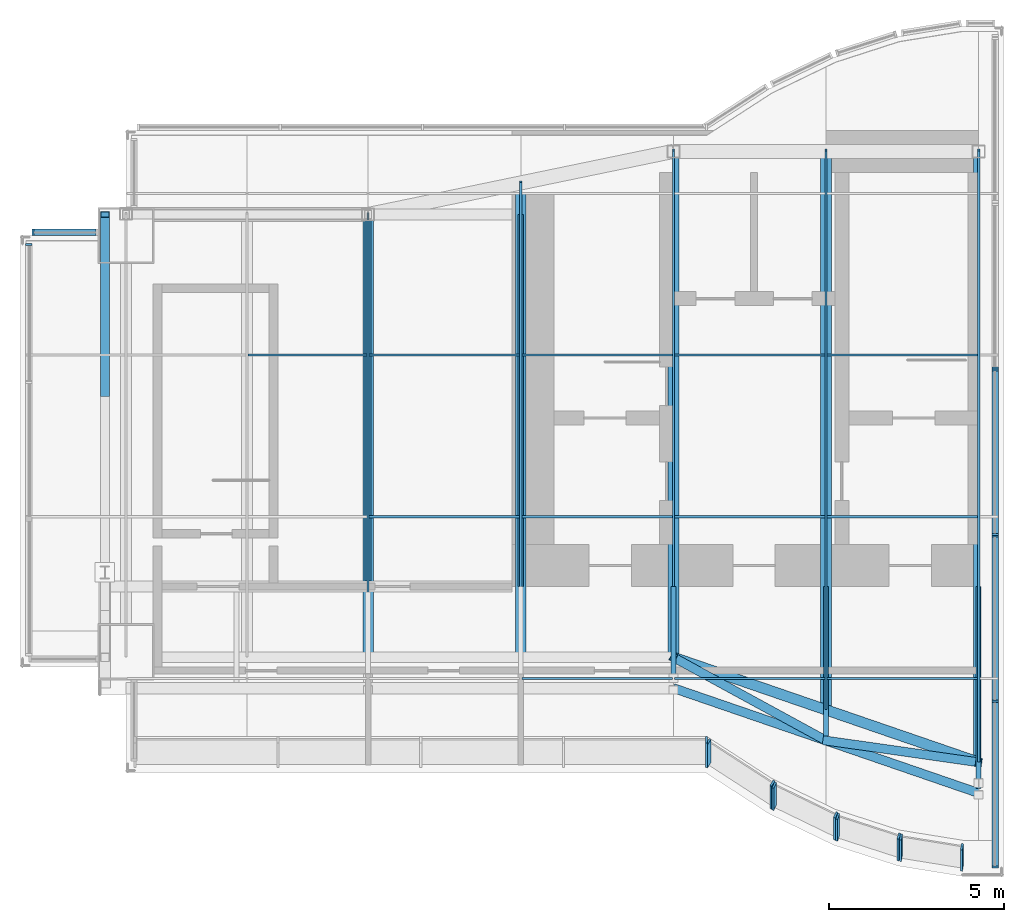
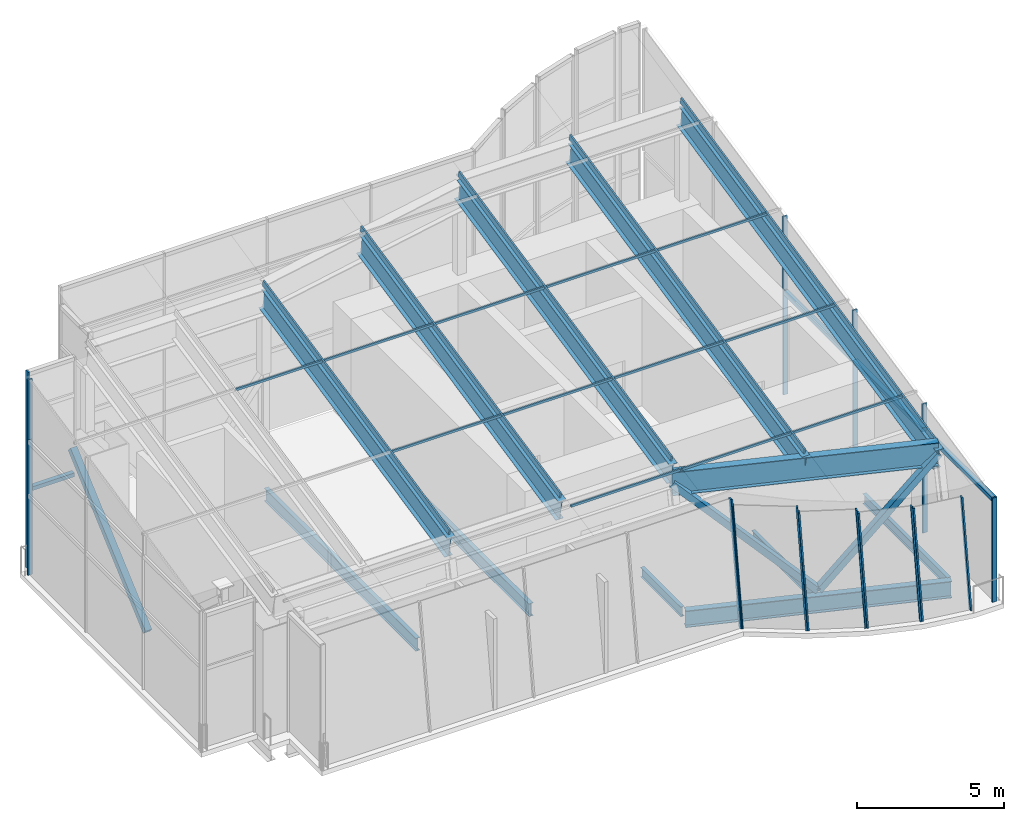
# One storey, part 2 of 8: 43 members, 12 beams, 11 elements without a shape of their own.
"""IFC4 building model written with IfcOpenShell, lengths in metres."""

from ifc_helpers import new_model, si_unit, direction, frame, origin, origin_2d, place, context, subcontext, project, spatial, rectangle, hollow_rectangle, i_section, extrude, material, material_profile, profile_set, type_object, element, aggregate, save


model = new_model("IFC4")

# Units and contexts
model_context = context("Model", 3, precision=1e-05, world=origin(), true_north=direction((0.0, 1.0)))
body_context = subcontext(model_context, "Body", "Model", "MODEL_VIEW")
ifc_project = project(units=[si_unit("LENGTHUNIT", "METRE"), si_unit("AREAUNIT", "SQUARE_METRE"), si_unit("VOLUMEUNIT", "CUBIC_METRE"), si_unit("PLANEANGLEUNIT", "RADIAN"), si_unit("MASSUNIT", "GRAM", prefix="KILO")], contexts=[model_context])

# Site, building, storey
site_placement = place(None, origin())
site = spatial("IfcSite", under=ifc_project, at=site_placement, CompositionType="ELEMENT")
building_placement = place(site_placement, origin())
building = spatial("IfcBuilding", under=site, at=building_placement, Name="Bicima Exchange Tower", CompositionType="ELEMENT")
storey_placement = place(building_placement, frame((0.0, 0.0, 379.39990234375)))
storey = spatial("IfcBuildingStorey", under=building, at=storey_placement, Name="L85", CompositionType="ELEMENT", Elevation=379.39990234375)

# Curtain wall, members
ifc_material_1 = material(Name="Anodised bronze aluminium", Category="aluminium")
curtain_wall_type = type_object("IfcCurtainWallType", Name="Crown glass wall", PredefinedType="NOTDEFINED", material=ifc_material_1)
curtain_wall_1_placement = place(storey_placement, origin())
curtain_wall_1 = element("IfcCurtainWall", 1, at=curtain_wall_1_placement, inside=storey, type_object=curtain_wall_type, Name="Crown glass wall L85 run 2", PredefinedType="NOTDEFINED")
ifc_material_profile_1 = material_profile(ifc_material_1, rectangle(XDim=0.179931640625, YDim=0.06005859375, at=origin_2d()))
ifc_profile_set_1 = profile_set([ifc_material_profile_1], Name="Anodised bronze aluminium")
member_type_1 = type_object("IfcMemberType", Name="Crown glass wall mullion 60 x 180", PredefinedType="MULLION", material=ifc_profile_set_1)
member_1_placement = place(storey_placement, frame((-8.22998046875, -21.0, 0.0), z_axis=(0.0, 0.0, 1.0), x_axis=(-1.0, 0.0, 0.0)))
member_1 = element("IfcMember", 2, at=member_1_placement, type_object=member_type_1, Name="Crown glass wall mullion 1", PredefinedType="MULLION", context=body_context, shape_type="SweptSolid", body=[
    extrude(rectangle(XDim=0.179931640625, YDim=0.06005859375, at=origin_2d()), origin(), (0.0, 0.0, 1.0), 4.317626953125),
])
member_2_placement = place(storey_placement, frame((-8.22998046875, -16.27734375, 0.0), z_axis=(0.0, 0.0, 1.0), x_axis=(-1.0, 0.0, 0.0)))
member_2 = element("IfcMember", 3, at=member_2_placement, type_object=member_type_1, Name="Crown glass wall mullion 2", PredefinedType="MULLION", context=body_context, shape_type="SweptSolid", body=[
    extrude(rectangle(XDim=0.179931640625, YDim=0.06005859375, at=origin_2d()), origin(), (0.0, 0.0, 1.0), 4.317626953125),
])
member_3_placement = place(storey_placement, frame((-8.22998046875, -11.5546875, 0.0), z_axis=(0.0, 0.0, 1.0), x_axis=(-1.0, 0.0, 0.0)))
member_3 = element("IfcMember", 4, at=member_3_placement, type_object=member_type_1, Name="Crown glass wall mullion 3", PredefinedType="MULLION", context=body_context, shape_type="SweptSolid", body=[
    extrude(rectangle(XDim=0.179931640625, YDim=0.06005859375, at=origin_2d()), origin(), (0.0, 0.0, 1.0), 4.317626953125),
])
member_4_placement = place(storey_placement, frame((-8.22998046875, -6.832275390625, 0.0), z_axis=(0.0, 0.0, 1.0), x_axis=(-1.0, 0.0, 0.0)))
member_4 = element("IfcMember", 5, at=member_4_placement, type_object=member_type_1, Name="Crown glass wall mullion 4", PredefinedType="MULLION", context=body_context, shape_type="SweptSolid", body=[
    extrude(rectangle(XDim=0.179931640625, YDim=0.06005859375, at=origin_2d()), origin(), (0.0, 0.0, 1.0), 4.317626953125),
])

# Curtain wall, member
curtain_wall_2_placement = place(storey_placement, origin())
curtain_wall_2 = element("IfcCurtainWall", 6, at=curtain_wall_2_placement, inside=storey, type_object=curtain_wall_type, Name="Crown glass wall L85 run 10", PredefinedType="NOTDEFINED")
member_5_placement = place(storey_placement, frame((-35.64990234375, -2.909912109375, 0.0), z_axis=(0.0, 0.0, 1.0), x_axis=(0.0, -1.0, 0.0)))
member_5 = element("IfcMember", 7, at=member_5_placement, type_object=member_type_1, Name="Crown glass wall mullion 2", PredefinedType="MULLION", context=body_context, shape_type="SweptSolid", body=[
    extrude(rectangle(XDim=0.179931640625, YDim=0.06005859375, at=origin_2d()), origin(), (0.0, 0.0, 1.0), 8.169189453125),
])

curtain_wall_3_placement = place(storey_placement, origin())
curtain_wall_3 = element("IfcCurtainWall", 8, at=curtain_wall_3_placement, inside=storey, type_object=curtain_wall_type, Name="Crown glass wall L85 run 11", PredefinedType="NOTDEFINED")
member_6_placement = place(storey_placement, frame((-35.77001953125, -3.260009765625, 0.0), z_axis=(0.0, 0.0, 1.0), x_axis=(1.0, 0.0, 0.0)))
member_6 = element("IfcMember", 9, at=member_6_placement, type_object=member_type_1, Name="Crown glass wall mullion 1", PredefinedType="MULLION", context=body_context, shape_type="SweptSolid", body=[
    extrude(rectangle(XDim=0.179931640625, YDim=0.06005859375, at=origin_2d()), origin(), (0.0, 0.0, 1.0), 5.604248046875),
])
aggregate(curtain_wall_3, [member_6])

curtain_wall_4_placement = place(storey_placement, origin())
curtain_wall_4 = element("IfcCurtainWall", 10, at=curtain_wall_4_placement, inside=storey, type_object=curtain_wall_type, Name="Crown tilted glass L85 14.1", PredefinedType="NOTDEFINED")
member_7_placement = place(storey_placement, frame((-16.462158203125, -18.06689453125, 0.0), z_axis=(0.0, 0.139170225062, 0.990268472918), x_axis=(0.0, -0.990268472918, 0.139170225062)))
member_7 = element("IfcMember", 11, at=member_7_placement, type_object=member_type_1, Name="Crown tilted mullion 5", PredefinedType="MULLION", context=body_context, shape_type="SweptSolid", body=[
    extrude(rectangle(XDim=0.179931640625, YDim=0.06005859375, at=origin_2d()), origin(), (0.0, 0.0, 1.0), 4.99609375),
])
aggregate(curtain_wall_4, [member_7])

# Curtain wall, members
curtain_wall_5_placement = place(storey_placement, origin())
curtain_wall_5 = element("IfcCurtainWall", 12, at=curtain_wall_5_placement, inside=storey, type_object=curtain_wall_type, Name="Crown tilted glass L85 15.1", PredefinedType="NOTDEFINED")
member_8_placement = place(storey_placement, frame((-16.406982421875, -18.083251953125, 0.0), z_axis=(0.0, 0.139147400321, 0.990271680391), x_axis=(-0.542878402751, -0.831641359182, 0.116857560831)))
member_8 = element("IfcMember", 13, at=member_8_placement, type_object=member_type_1, Name="Crown tilted mullion 1", PredefinedType="MULLION", context=body_context, shape_type="SweptSolid", body=[
    extrude(rectangle(XDim=0.179931640625, YDim=0.06005859375, at=origin_2d()), origin(), (0.0, 0.0, 1.0), 4.735595703125),
])
member_9_placement = place(storey_placement, frame((-14.578857421875, -19.264892578125, 0.0), z_axis=(0.0, 0.139147400321, 0.990271680391), x_axis=(-0.542878402751, -0.831641359182, 0.116857560831)))
member_9 = element("IfcMember", 14, at=member_9_placement, type_object=member_type_1, Name="Crown tilted mullion 2", PredefinedType="MULLION", context=body_context, shape_type="SweptSolid", body=[
    extrude(rectangle(XDim=0.179931640625, YDim=0.06005859375, at=origin_2d()), origin(), (0.0, 0.0, 1.0), 4.735595703125),
])
aggregate(curtain_wall_5, [member_8, member_9])

curtain_wall_6_placement = place(storey_placement, origin())
curtain_wall_6 = element("IfcCurtainWall", 15, at=curtain_wall_6_placement, inside=storey, type_object=curtain_wall_type, Name="Crown tilted glass L85 16.1", PredefinedType="NOTDEFINED")
member_10_placement = place(storey_placement, frame((-14.526611328125, -19.29443359375, 0.0), z_axis=(0.0, 0.139158586142, 0.990270108558), x_axis=(-0.436264762204, -0.89106321198, 0.125217448927)))
member_10 = element("IfcMember", 16, at=member_10_placement, type_object=member_type_1, Name="Crown tilted mullion 1", PredefinedType="MULLION", context=body_context, shape_type="SweptSolid", body=[
    extrude(rectangle(XDim=0.179931640625, YDim=0.06005859375, at=origin_2d()), origin(), (0.0, 0.0, 1.0), 4.54736328125),
])
member_11_placement = place(storey_placement, frame((-12.7744140625, -20.14404296875, 0.0), z_axis=(0.0, 0.139211233609, 0.990262708799), x_axis=(-0.436264762204, -0.89105655354, 0.125264822084)))
member_11 = element("IfcMember", 17, at=member_11_placement, type_object=member_type_1, Name="Crown tilted mullion 2", PredefinedType="MULLION", context=body_context, shape_type="SweptSolid", body=[
    extrude(rectangle(XDim=0.179931640625, YDim=0.06005859375, at=origin_2d()), origin(), (0.0, 0.0, 1.0), 4.54736328125),
])
aggregate(curtain_wall_6, [member_10, member_11])

curtain_wall_7_placement = place(storey_placement, origin())
curtain_wall_7 = element("IfcCurtainWall", 18, at=curtain_wall_7_placement, inside=storey, type_object=curtain_wall_type, Name="Crown tilted glass L85 17.1", PredefinedType="NOTDEFINED")
member_12_placement = place(storey_placement, frame((-12.71875, -20.166259765625, 0.0), z_axis=(0.0, 0.139171937426, 0.990268232265), x_axis=(-0.307572519808, -0.942264625568, 0.132425527988)))
member_12 = element("IfcMember", 19, at=member_12_placement, type_object=member_type_1, Name="Crown tilted mullion 1", PredefinedType="MULLION", context=body_context, shape_type="SweptSolid", body=[
    extrude(rectangle(XDim=0.179931640625, YDim=0.06005859375, at=origin_2d()), origin(), (0.0, 0.0, 1.0), 4.42236328125),
])
member_13_placement = place(storey_placement, frame((-10.974609375, -20.72998046875, 0.0), z_axis=(0.0, 0.139171937426, 0.990268232265), x_axis=(-0.307572519808, -0.942264625568, 0.132425527988)))
member_13 = element("IfcMember", 20, at=member_13_placement, type_object=member_type_1, Name="Crown tilted mullion 2", PredefinedType="MULLION", context=body_context, shape_type="SweptSolid", body=[
    extrude(rectangle(XDim=0.179931640625, YDim=0.06005859375, at=origin_2d()), origin(), (0.0, 0.0, 1.0), 4.42236328125),
])
aggregate(curtain_wall_7, [member_12, member_13])

curtain_wall_8_placement = place(storey_placement, origin())
curtain_wall_8 = element("IfcCurtainWall", 21, at=curtain_wall_8_placement, inside=storey, type_object=curtain_wall_type, Name="Crown tilted glass L85 18.1", PredefinedType="NOTDEFINED")
member_14_placement = place(storey_placement, frame((-10.91650390625, -20.744140625, 0.0), z_axis=(0.0, 0.139202496325, 0.990263937048), x_axis=(-0.159550386184, -0.977578444442, 0.137419282606)))
member_14 = element("IfcMember", 22, at=member_14_placement, type_object=member_type_1, Name="Crown tilted mullion 1", PredefinedType="MULLION", context=body_context, shape_type="SweptSolid", body=[
    extrude(rectangle(XDim=0.179931640625, YDim=0.06005859375, at=origin_2d()), origin(), (0.0, 0.0, 1.0), 4.360107421875),
])
member_15_placement = place(storey_placement, frame((-9.177734375, -21.025146484375, 0.0), z_axis=(0.0, 0.139202496325, 0.990263937048), x_axis=(-0.159550386184, -0.977578444442, 0.137419282606)))
member_15 = element("IfcMember", 23, at=member_15_placement, type_object=member_type_1, Name="Crown tilted mullion 2", PredefinedType="MULLION", context=body_context, shape_type="SweptSolid", body=[
    extrude(rectangle(XDim=0.179931640625, YDim=0.06005859375, at=origin_2d()), origin(), (0.0, 0.0, 1.0), 4.360107421875),
])
aggregate(curtain_wall_8, [member_14, member_15])

curtain_wall_9_placement = place(storey_placement, origin())
curtain_wall_9 = element("IfcCurtainWall", 24, at=curtain_wall_9_placement, inside=storey, type_object=curtain_wall_type, Name="Gable glazing west 2", PredefinedType="NOTDEFINED")
member_16_placement = place(storey_placement, frame((-8.22998046875, -16.25927734375, 4.317626953125), z_axis=(0.0, 0.0, 1.0), x_axis=(-1.0, 0.0, 0.0)))
member_16 = element("IfcMember", 25, at=member_16_placement, type_object=member_type_1, Name="Gable glazing mullion 2", PredefinedType="MULLION", context=body_context, shape_type="SweptSolid", body=[
    extrude(rectangle(XDim=0.179931640625, YDim=0.06005859375, at=origin_2d()), origin(), (0.0, 0.0, 1.0), 1.01416015625),
])
member_17_placement = place(storey_placement, frame((-8.22998046875, -11.518798828125, 4.317626953125), z_axis=(0.0, 0.0, 1.0), x_axis=(-1.0, 0.0, 0.0)))
member_17 = element("IfcMember", 26, at=member_17_placement, type_object=member_type_1, Name="Gable glazing mullion 3", PredefinedType="MULLION", context=body_context, shape_type="SweptSolid", body=[
    extrude(rectangle(XDim=0.179931640625, YDim=0.06005859375, at=origin_2d()), origin(), (0.0, 0.0, 1.0), 2.021728515625),
])
member_18_placement = place(storey_placement, frame((-8.22998046875, -6.7783203125, 4.317626953125), z_axis=(0.0, 0.0, 1.0), x_axis=(-1.0, 0.0, 0.0)))
member_18 = element("IfcMember", 27, at=member_18_placement, type_object=member_type_1, Name="Gable glazing mullion 4", PredefinedType="MULLION", context=body_context, shape_type="SweptSolid", body=[
    extrude(rectangle(XDim=0.179931640625, YDim=0.06005859375, at=origin_2d()), origin(), (0.0, 0.0, 1.0), 3.029296875),
])
aggregate(curtain_wall_9, [member_16, member_17, member_18])

# Curtain wall, member
curtain_wall_10_placement = place(storey_placement, origin())
curtain_wall_10 = element("IfcCurtainWall", 28, at=curtain_wall_10_placement, inside=storey, type_object=curtain_wall_type, Name="Gable glazing west 11", PredefinedType="NOTDEFINED")
member_19_placement = place(storey_placement, frame((-35.77001953125, -3.260009765625, 5.585205078125), z_axis=(0.0, 0.0, 1.0), x_axis=(1.0, 0.0, 0.0)))
member_19 = element("IfcMember", 29, at=member_19_placement, type_object=member_type_1, Name="Gable glazing mullion 1", PredefinedType="MULLION", context=body_context, shape_type="SweptSolid", body=[
    extrude(rectangle(XDim=0.179931640625, YDim=0.06005859375, at=origin_2d()), origin(), (0.0, 0.0, 1.0), 2.509521484375),
])
aggregate(curtain_wall_10, [member_19])

# Member
ifc_material_profile_2 = material_profile(ifc_material_1, rectangle(XDim=0.179931640625, YDim=0.159912109375, at=origin_2d()))
ifc_profile_set_2 = profile_set([ifc_material_profile_2], Name="Anodised bronze aluminium")
member_type_2 = type_object("IfcMemberType", Name="Crown glass wall transom 160 x 180", PredefinedType="USERDEFINED", material=ifc_profile_set_2)
member_20_placement = place(storey_placement, frame((-8.22998046875, -20.969970703125, 4.23779296875), z_axis=(0.0, 1.0, 0.0), x_axis=(-1.0, 0.0, 0.0)))
member_20 = element("IfcMember", 30, at=member_20_placement, type_object=member_type_2, Name="Crown glass wall transom 1.1", ObjectType="TRANSOM", PredefinedType="USERDEFINED", context=body_context, shape_type="SweptSolid", body=[
    extrude(rectangle(XDim=0.179931640625, YDim=0.159912109375, at=origin_2d()), origin(), (0.0, 0.0, 1.0), 4.66259765625),
])

member_21_placement = place(storey_placement, frame((-8.22998046875, -16.247314453125, 4.23779296875), z_axis=(0.0, 1.0, 0.0), x_axis=(-1.0, 0.0, 0.0)))
member_21 = element("IfcMember", 31, at=member_21_placement, type_object=member_type_2, Name="Crown glass wall transom 2.1", ObjectType="TRANSOM", PredefinedType="USERDEFINED", context=body_context, shape_type="SweptSolid", body=[
    extrude(rectangle(XDim=0.179931640625, YDim=0.159912109375, at=origin_2d()), origin(), (0.0, 0.0, 1.0), 4.66259765625),
])

member_22_placement = place(storey_placement, frame((-8.22998046875, -11.524658203125, 4.23779296875), z_axis=(0.0, 1.0, 0.0), x_axis=(-1.0, 0.0, 0.0)))
member_22 = element("IfcMember", 32, at=member_22_placement, type_object=member_type_2, Name="Crown glass wall transom 3.1", ObjectType="TRANSOM", PredefinedType="USERDEFINED", context=body_context, shape_type="SweptSolid", body=[
    extrude(rectangle(XDim=0.179931640625, YDim=0.159912109375, at=origin_2d()), origin(), (0.0, 0.0, 1.0), 4.662353515625),
])

aggregate(curtain_wall_1, [member_1, member_2, member_3, member_4, member_20, member_21, member_22])

member_23_placement = place(storey_placement, frame((-33.860107421875, -2.909912109375, 3.300048828125), z_axis=(-1.0, 0.0, 0.0), x_axis=(0.0, -1.0, 0.0)))
member_23 = element("IfcMember", 33, at=member_23_placement, type_object=member_type_2, Name="Crown glass wall transom 1.1", ObjectType="TRANSOM", PredefinedType="USERDEFINED", context=body_context, shape_type="SweptSolid", body=[
    extrude(rectangle(XDim=0.179931640625, YDim=0.159912109375, at=origin_2d()), origin(), (0.0, 0.0, 1.0), 1.760009765625),
])

aggregate(curtain_wall_2, [member_5, member_23])

# Beams
ifc_material_2 = material(Name="Steel ASTM A992 Gr 50", Category="steel")
ifc_material_profile_3 = material_profile(ifc_material_2, i_section(OverallWidth=0.140380859375, OverallDepth=0.40380859375, WebThickness=0.007080078125, FlangeThickness=0.01123046875, at=origin_2d()))
ifc_profile_set_3 = profile_set([ifc_material_profile_3], Name="Steel ASTM A992 Gr 50")
beam_type_1 = type_object("IfcBeamType", Name="Floor beam W16x31", PredefinedType="JOIST", material=ifc_profile_set_3)
beam_1_placement = place(storey_placement, frame((-17.39990234375, -13.0, -0.40185546875), z_axis=(0.0, -1.0, 0.0), x_axis=(1.0, 0.0, 0.0)))
element("IfcBeam", 34, at=beam_1_placement, inside=storey, type_object=beam_type_1, Name="Floor beam", PredefinedType="JOIST", context=body_context, shape_type="SweptSolid", body=[
    extrude(i_section(OverallWidth=0.140380859375, OverallDepth=0.40380859375, WebThickness=0.007080078125, FlangeThickness=0.01123046875, at=origin_2d()), origin(), (0.0, 0.0, 1.0), 2.734375),
])
beam_2_placement = place(storey_placement, frame((-13.050048828125, -13.0, -0.40185546875), z_axis=(0.0, -1.0, 0.0), x_axis=(1.0, 0.0, 0.0)))
element("IfcBeam", 35, at=beam_2_placement, inside=storey, type_object=beam_type_1, Name="Floor beam", PredefinedType="JOIST", context=body_context, shape_type="SweptSolid", body=[
    extrude(i_section(OverallWidth=0.140380859375, OverallDepth=0.40380859375, WebThickness=0.007080078125, FlangeThickness=0.01123046875, at=origin_2d()), origin(), (0.0, 0.0, 1.0), 4.2568359375),
])
beam_3_placement = place(storey_placement, frame((-8.699951171875, -13.0, -0.40185546875), z_axis=(0.0, -1.0, 0.0), x_axis=(1.0, 0.0, 0.0)))
element("IfcBeam", 36, at=beam_3_placement, inside=storey, type_object=beam_type_1, Name="Floor beam", PredefinedType="JOIST", context=body_context, shape_type="SweptSolid", body=[
    extrude(i_section(OverallWidth=0.140380859375, OverallDepth=0.40380859375, WebThickness=0.007080078125, FlangeThickness=0.01123046875, at=origin_2d()), origin(), (0.0, 0.0, 1.0), 5.75244140625),
])
ifc_material_profile_4 = material_profile(ifc_material_2, i_section(OverallWidth=0.165771484375, OverallDepth=0.5283203125, WebThickness=0.009765625, FlangeThickness=0.013671875, at=origin_2d()))
ifc_profile_set_4 = profile_set([ifc_material_profile_4], Name="Steel ASTM A992 Gr 50")
beam_type_2 = type_object("IfcBeamType", Name="Floor beam W21x50", PredefinedType="JOIST", material=ifc_profile_set_4)
beam_4_placement = place(storey_placement, frame((-26.10009765625, -2.5625, -0.464111328125), z_axis=(0.0, -1.0, 0.0), x_axis=(1.0, 0.0, 0.0)))
element("IfcBeam", 37, at=beam_4_placement, inside=storey, type_object=beam_type_2, Name="Floor beam", PredefinedType="JOIST", context=body_context, shape_type="SweptSolid", body=[
    extrude(i_section(OverallWidth=0.165771484375, OverallDepth=0.5283203125, WebThickness=0.009765625, FlangeThickness=0.013671875, at=origin_2d()), origin(), (0.0, 0.0, 1.0), 10.28515625),
])
beam_5_placement = place(storey_placement, frame((-21.75, -2.39990234375, -0.464111328125), z_axis=(0.0, -1.0, 0.0), x_axis=(1.0, 0.0, 0.0)))
element("IfcBeam", 38, at=beam_5_placement, inside=storey, type_object=beam_type_2, Name="Floor beam", PredefinedType="JOIST", context=body_context, shape_type="SweptSolid", body=[
    extrude(i_section(OverallWidth=0.165771484375, OverallDepth=0.5283203125, WebThickness=0.009765625, FlangeThickness=0.013671875, at=origin_2d()), origin(), (0.0, 0.0, 1.0), 10.60009765625),
])
ifc_material_profile_5 = material_profile(ifc_material_2, i_section(OverallWidth=0.256591796875, OverallDepth=0.693359375, WebThickness=0.014404296875, FlangeThickness=0.023681640625, at=origin_2d()))
ifc_profile_set_5 = profile_set([ifc_material_profile_5], Name="Steel ASTM A992 Gr 50")
beam_type_3 = type_object("IfcBeamType", Name="Front girder W27x114", PredefinedType="BEAM", material=ifc_profile_set_5)
beam_6_placement = place(storey_placement, frame((-17.39990234375, -15.89697265625, -0.546630859375), z_axis=(0.945674616091, -0.32511462668, 0.0), x_axis=(0.32511462668, 0.945674616091, 0.0)))
element("IfcBeam", 39, at=beam_6_placement, inside=storey, type_object=beam_type_3, Name="Front girder", PredefinedType="BEAM", context=body_context, shape_type="SweptSolid", body=[
    extrude(i_section(OverallWidth=0.256591796875, OverallDepth=0.693359375, WebThickness=0.014404296875, FlangeThickness=0.023681640625, at=origin_2d()), origin(), (0.0, 0.0, 1.0), 9.19970703125),
])

# Members
ifc_material_3 = material(Name="Steel ASTM A572 Gr 50", Category="steel")
ifc_material_profile_6 = material_profile(ifc_material_3, hollow_rectangle(XDim=0.25390625, YDim=0.25390625, WallThickness=0.01171875, at=origin_2d()))
ifc_profile_set_6 = profile_set([ifc_material_profile_6], Name="Steel ASTM A572 Gr 50")
member_type_3 = type_object("IfcMemberType", Name="Mega brace HSS10x10x1/2", PredefinedType="BRACE", material=ifc_profile_set_6)
member_24_placement = place(storey_placement, frame((-13.050048828125, -17.392578125, 0.0), z_axis=(0.691654271896, -0.09844175741, 0.715488356695), x_axis=(0.140907934492, 0.990022703779, 0.0)))
element("IfcMember", 40, at=member_24_placement, inside=storey, type_object=member_type_3, Name="Mega brace front", PredefinedType="BRACE", context=body_context, shape_type="SweptSolid", body=[
    extrude(hollow_rectangle(XDim=0.25390625, YDim=0.25390625, WallThickness=0.01171875, at=origin_2d()), origin(), (0.0, 0.0, 1.0), 6.289306640625),
])
member_25_placement = place(storey_placement, frame((-13.050048828125, -17.392578125, 0.0), z_axis=(-0.649898590044, 0.354403923268, 0.672331526727), x_axis=(-0.478762364863, -0.877944530133, 0.0)))
element("IfcMember", 41, at=member_25_placement, inside=storey, type_object=member_type_3, Name="Mega brace front", PredefinedType="BRACE", context=body_context, shape_type="SweptSolid", body=[
    extrude(hollow_rectangle(XDim=0.25390625, YDim=0.25390625, WallThickness=0.01171875, at=origin_2d()), origin(), (0.0, 0.0, 1.0), 6.693115234375),
])
member_26_placement = place(storey_placement, frame((-33.60009765625, -7.5, -0.546630859375), z_axis=(0.0, 0.749844140428, 0.661614513948), x_axis=(-1.0, 0.0, 0.0)))
element("IfcMember", 42, at=member_26_placement, inside=storey, type_object=member_type_3, Name="Mega brace west end", PredefinedType="BRACE", context=body_context, shape_type="SweptSolid", body=[
    extrude(hollow_rectangle(XDim=0.25390625, YDim=0.25390625, WallThickness=0.01171875, at=origin_2d()), origin(), (0.0, 0.0, 1.0), 6.801513671875),
])

# Beam
ifc_material_profile_7 = material_profile(ifc_material_2, i_section(OverallWidth=0.2998046875, OverallDepth=0.97021484375, WebThickness=0.01611328125, FlangeThickness=0.02099609375, at=origin_2d()))
ifc_profile_set_7 = profile_set([ifc_material_profile_7], Name="Steel ASTM A992 Gr 50")
beam_type_4 = type_object("IfcBeamType", Name="Roof eave beam W40x149", PredefinedType="BEAM", material=ifc_profile_set_7)
beam_7_placement = place(storey_placement, frame((-17.39990234375, -15.0205078125, 4.537109375), z_axis=(0.945666456746, -0.325138359143, 0.0), x_axis=(0.325138359143, 0.945666456746, 0.0)))
element("IfcBeam", 43, at=beam_7_placement, inside=storey, type_object=beam_type_4, Name="Roof eave beam", PredefinedType="BEAM", context=body_context, shape_type="SweptSolid", body=[
    extrude(i_section(OverallWidth=0.2998046875, OverallDepth=0.97021484375, WebThickness=0.01611328125, FlangeThickness=0.02099609375, at=origin_2d()), origin(), (0.0, 0.0, 1.0), 9.19970703125),
])

# Curtain wall, members
curtain_wall_11_placement = place(storey_placement, origin())
curtain_wall_11 = element("IfcCurtainWall", 44, at=curtain_wall_11_placement, inside=storey, type_object=curtain_wall_type, Name="Roof glazing west", PredefinedType="NOTDEFINED")
ifc_material_profile_8 = material_profile(ifc_material_1, rectangle(XDim=0.06005859375, YDim=0.248291015625, at=origin_2d()))
ifc_profile_set_8 = profile_set([ifc_material_profile_8], Name="Anodised bronze aluminium")
member_type_4 = type_object("IfcMemberType", Name="Roof glazing bar 60 x 248", PredefinedType="USERDEFINED", material=ifc_profile_set_8)
member_27_placement = place(storey_placement, frame((-26.10009765625, -14.985595703125, 5.468017578125), z_axis=(0.0, 0.978147211684, 0.207913521143), x_axis=(-1.0, 0.0, 0.0)))
member_27 = element("IfcMember", 45, at=member_27_placement, type_object=member_type_4, Name="Roof glazing bar west rafter 3", ObjectType="GLAZING BAR", PredefinedType="USERDEFINED", context=body_context, shape_type="SweptSolid", body=[
    extrude(rectangle(XDim=0.06005859375, YDim=0.248291015625, at=origin_2d()), origin(), (0.0, 0.0, 1.0), 12.902587890625),
])
member_28_placement = place(storey_placement, frame((-21.75, -14.985595703125, 5.468017578125), z_axis=(0.0, 0.978145382219, 0.207922127835), x_axis=(-1.0, 0.0, 0.0)))
member_28 = element("IfcMember", 46, at=member_28_placement, type_object=member_type_4, Name="Roof glazing bar west rafter 4", ObjectType="GLAZING BAR", PredefinedType="USERDEFINED", context=body_context, shape_type="SweptSolid", body=[
    extrude(rectangle(XDim=0.06005859375, YDim=0.248291015625, at=origin_2d()), origin(), (0.0, 0.0, 1.0), 13.822509765625),
])
member_29_placement = place(storey_placement, frame((-17.39990234375, -14.985595703125, 5.468017578125), z_axis=(0.0, 0.978147864861, 0.207910448192), x_axis=(-1.0, 0.0, 0.0)))
member_29 = element("IfcMember", 47, at=member_29_placement, type_object=member_type_4, Name="Roof glazing bar west rafter 5", ObjectType="GLAZING BAR", PredefinedType="USERDEFINED", context=body_context, shape_type="SweptSolid", body=[
    extrude(rectangle(XDim=0.06005859375, YDim=0.248291015625, at=origin_2d()), origin(), (0.0, 0.0, 1.0), 14.742919921875),
])
member_30_placement = place(storey_placement, frame((-13.050048828125, -16.481201171875, 5.150146484375), z_axis=(0.0, 0.978148210764, 0.207908820833), x_axis=(-1.0, 0.0, 0.0)))
member_30 = element("IfcMember", 48, at=member_30_placement, type_object=member_type_4, Name="Roof glazing bar west rafter 6", ObjectType="GLAZING BAR", PredefinedType="USERDEFINED", context=body_context, shape_type="SweptSolid", body=[
    extrude(rectangle(XDim=0.06005859375, YDim=0.248291015625, at=origin_2d()), origin(), (0.0, 0.0, 1.0), 16.271728515625),
])
member_31_placement = place(storey_placement, frame((-8.699951171875, -17.9765625, 4.832275390625), z_axis=(0.0, 0.978147904386, 0.207910262242), x_axis=(-1.0, 0.0, 0.0)))
member_31 = element("IfcMember", 49, at=member_31_placement, type_object=member_type_4, Name="Roof glazing bar west rafter 7", ObjectType="GLAZING BAR", PredefinedType="USERDEFINED", context=body_context, shape_type="SweptSolid", body=[
    extrude(rectangle(XDim=0.06005859375, YDim=0.248291015625, at=origin_2d()), origin(), (0.0, 0.0, 1.0), 17.800537109375),
])
ifc_material_profile_9 = material_profile(ifc_material_1, rectangle(XDim=0.06005859375, YDim=0.090087890625, at=origin_2d()))
ifc_profile_set_9 = profile_set([ifc_material_profile_9], Name="Anodised bronze aluminium")
member_type_5 = type_object("IfcMemberType", Name="Roof glazing bar 60 x 90", PredefinedType="USERDEFINED", material=ifc_profile_set_9)
member_32_placement = place(storey_placement, frame((-21.719970703125, -15.624267578125, 5.415283203125), z_axis=(1.0, 0.0, 0.0), x_axis=(0.0, 1.0, 0.0)))
member_32 = element("IfcMember", 50, at=member_32_placement, type_object=member_type_5, Name="Roof glazing bar west cross 1.5", ObjectType="GLAZING BAR", PredefinedType="USERDEFINED", context=body_context, shape_type="SweptSolid", body=[
    extrude(rectangle(XDim=0.06005859375, YDim=0.090087890625, at=origin_2d()), origin(), (0.0, 0.0, 1.0), 4.2900390625),
])
member_33_placement = place(storey_placement, frame((-17.3701171875, -15.624267578125, 5.415283203125), z_axis=(1.0, 0.0, 0.0), x_axis=(0.0, 1.0, 0.0)))
member_33 = element("IfcMember", 51, at=member_33_placement, type_object=member_type_5, Name="Roof glazing bar west cross 1.6", ObjectType="GLAZING BAR", PredefinedType="USERDEFINED", context=body_context, shape_type="SweptSolid", body=[
    extrude(rectangle(XDim=0.06005859375, YDim=0.090087890625, at=origin_2d()), origin(), (0.0, 0.0, 1.0), 4.2900390625),
])
member_34_placement = place(storey_placement, frame((-13.02001953125, -15.624267578125, 5.415283203125), z_axis=(1.0, 0.0, 0.0), x_axis=(0.0, 1.0, 0.0)))
member_34 = element("IfcMember", 52, at=member_34_placement, type_object=member_type_5, Name="Roof glazing bar west cross 1.7", ObjectType="GLAZING BAR", PredefinedType="USERDEFINED", context=body_context, shape_type="SweptSolid", body=[
    extrude(rectangle(XDim=0.06005859375, YDim=0.090087890625, at=origin_2d()), origin(), (0.0, 0.0, 1.0), 4.2900390625),
])
member_35_placement = place(storey_placement, frame((-26.070068359375, -11.014892578125, 6.39501953125), z_axis=(1.0, 0.0, 0.0), x_axis=(0.0, 1.0, 0.0)))
member_35 = element("IfcMember", 53, at=member_35_placement, type_object=member_type_5, Name="Roof glazing bar west cross 2.4", ObjectType="GLAZING BAR", PredefinedType="USERDEFINED", context=body_context, shape_type="SweptSolid", body=[
    extrude(rectangle(XDim=0.06005859375, YDim=0.090087890625, at=origin_2d()), origin(), (0.0, 0.0, 1.0), 4.2900390625),
])
member_36_placement = place(storey_placement, frame((-21.719970703125, -11.014892578125, 6.39501953125), z_axis=(1.0, 0.0, 0.0), x_axis=(0.0, 1.0, 0.0)))
member_36 = element("IfcMember", 54, at=member_36_placement, type_object=member_type_5, Name="Roof glazing bar west cross 2.5", ObjectType="GLAZING BAR", PredefinedType="USERDEFINED", context=body_context, shape_type="SweptSolid", body=[
    extrude(rectangle(XDim=0.06005859375, YDim=0.090087890625, at=origin_2d()), origin(), (0.0, 0.0, 1.0), 4.2900390625),
])
member_37_placement = place(storey_placement, frame((-17.3701171875, -11.014892578125, 6.39501953125), z_axis=(1.0, 0.0, 0.0), x_axis=(0.0, 1.0, 0.0)))
member_37 = element("IfcMember", 55, at=member_37_placement, type_object=member_type_5, Name="Roof glazing bar west cross 2.6", ObjectType="GLAZING BAR", PredefinedType="USERDEFINED", context=body_context, shape_type="SweptSolid", body=[
    extrude(rectangle(XDim=0.06005859375, YDim=0.090087890625, at=origin_2d()), origin(), (0.0, 0.0, 1.0), 4.2900390625),
])
member_38_placement = place(storey_placement, frame((-13.02001953125, -11.014892578125, 6.39501953125), z_axis=(1.0, 0.0, 0.0), x_axis=(0.0, 1.0, 0.0)))
member_38 = element("IfcMember", 56, at=member_38_placement, type_object=member_type_5, Name="Roof glazing bar west cross 2.7", ObjectType="GLAZING BAR", PredefinedType="USERDEFINED", context=body_context, shape_type="SweptSolid", body=[
    extrude(rectangle(XDim=0.06005859375, YDim=0.090087890625, at=origin_2d()), origin(), (0.0, 0.0, 1.0), 4.2900390625),
])
member_39_placement = place(storey_placement, frame((-29.52001953125, -6.405517578125, 7.374755859375), z_axis=(1.0, 0.0, 0.0), x_axis=(0.0, 1.0, 0.0)))
member_39 = element("IfcMember", 57, at=member_39_placement, type_object=member_type_5, Name="Roof glazing bar west cross 3.3", ObjectType="GLAZING BAR", PredefinedType="USERDEFINED", context=body_context, shape_type="SweptSolid", body=[
    extrude(rectangle(XDim=0.06005859375, YDim=0.090087890625, at=origin_2d()), origin(), (0.0, 0.0, 1.0), 3.39013671875),
])
member_40_placement = place(storey_placement, frame((-26.070068359375, -6.405517578125, 7.374755859375), z_axis=(1.0, 0.0, 0.0), x_axis=(0.0, 1.0, 0.0)))
member_40 = element("IfcMember", 58, at=member_40_placement, type_object=member_type_5, Name="Roof glazing bar west cross 3.4", ObjectType="GLAZING BAR", PredefinedType="USERDEFINED", context=body_context, shape_type="SweptSolid", body=[
    extrude(rectangle(XDim=0.06005859375, YDim=0.090087890625, at=origin_2d()), origin(), (0.0, 0.0, 1.0), 4.2900390625),
])
member_41_placement = place(storey_placement, frame((-21.719970703125, -6.405517578125, 7.374755859375), z_axis=(1.0, 0.0, 0.0), x_axis=(0.0, 1.0, 0.0)))
member_41 = element("IfcMember", 59, at=member_41_placement, type_object=member_type_5, Name="Roof glazing bar west cross 3.5", ObjectType="GLAZING BAR", PredefinedType="USERDEFINED", context=body_context, shape_type="SweptSolid", body=[
    extrude(rectangle(XDim=0.06005859375, YDim=0.090087890625, at=origin_2d()), origin(), (0.0, 0.0, 1.0), 4.2900390625),
])
member_42_placement = place(storey_placement, frame((-17.3701171875, -6.405517578125, 7.374755859375), z_axis=(1.0, 0.0, 0.0), x_axis=(0.0, 1.0, 0.0)))
member_42 = element("IfcMember", 60, at=member_42_placement, type_object=member_type_5, Name="Roof glazing bar west cross 3.6", ObjectType="GLAZING BAR", PredefinedType="USERDEFINED", context=body_context, shape_type="SweptSolid", body=[
    extrude(rectangle(XDim=0.06005859375, YDim=0.090087890625, at=origin_2d()), origin(), (0.0, 0.0, 1.0), 4.2900390625),
])
member_43_placement = place(storey_placement, frame((-13.02001953125, -6.405517578125, 7.374755859375), z_axis=(1.0, 0.0, 0.0), x_axis=(0.0, 1.0, 0.0)))
member_43 = element("IfcMember", 61, at=member_43_placement, type_object=member_type_5, Name="Roof glazing bar west cross 3.7", ObjectType="GLAZING BAR", PredefinedType="USERDEFINED", context=body_context, shape_type="SweptSolid", body=[
    extrude(rectangle(XDim=0.06005859375, YDim=0.090087890625, at=origin_2d()), origin(), (0.0, 0.0, 1.0), 4.2900390625),
])
aggregate(curtain_wall_11, [member_27, member_28, member_29, member_30, member_31, member_32, member_33, member_34, member_35, member_36, member_37, member_38, member_39, member_40, member_41, member_42, member_43])

# Beams
ifc_material_profile_10 = material_profile(ifc_material_2, i_section(OverallWidth=0.3046875, OverallDepth=0.904296875, WebThickness=0.01513671875, FlangeThickness=0.02001953125, at=origin_2d()))
ifc_profile_set_10 = profile_set([ifc_material_profile_10], Name="Steel ASTM A992 Gr 50")
beam_type_5 = type_object("IfcBeamType", Name="Roof rafter beam W36x135", PredefinedType="BEAM", material=ifc_profile_set_10)
beam_8_placement = place(storey_placement, frame((-26.10009765625, -15.0205078125, 4.887939453125), z_axis=(0.0, 0.978147211684, 0.207913521143), x_axis=(-1.0, 0.0, 0.0)))
element("IfcBeam", 62, at=beam_8_placement, inside=storey, type_object=beam_type_5, Name="Roof rafter beam", PredefinedType="BEAM", context=body_context, shape_type="SweptSolid", body=[
    extrude(i_section(OverallWidth=0.3046875, OverallDepth=0.904296875, WebThickness=0.01513671875, FlangeThickness=0.02001953125, at=origin_2d()), origin(), (0.0, 0.0, 1.0), 12.902587890625),
])
beam_9_placement = place(storey_placement, frame((-21.75, -15.0205078125, 4.887939453125), z_axis=(0.0, 0.978148974237, 0.207905228887), x_axis=(-1.0, 0.0, 0.0)))
element("IfcBeam", 63, at=beam_9_placement, inside=storey, type_object=beam_type_5, Name="Roof rafter beam", PredefinedType="BEAM", context=body_context, shape_type="SweptSolid", body=[
    extrude(i_section(OverallWidth=0.3046875, OverallDepth=0.904296875, WebThickness=0.01513671875, FlangeThickness=0.02001953125, at=origin_2d()), origin(), (0.0, 0.0, 1.0), 13.822509765625),
])
beam_10_placement = place(storey_placement, frame((-17.39990234375, -15.0205078125, 4.887939453125), z_axis=(0.0, 0.97814714901, 0.207913815999), x_axis=(-1.0, 0.0, 0.0)))
element("IfcBeam", 64, at=beam_10_placement, inside=storey, type_object=beam_type_5, Name="Roof rafter beam", PredefinedType="BEAM", context=body_context, shape_type="SweptSolid", body=[
    extrude(i_section(OverallWidth=0.3046875, OverallDepth=0.904296875, WebThickness=0.01513671875, FlangeThickness=0.02001953125, at=origin_2d()), origin(), (0.0, 0.0, 1.0), 14.74267578125),
])
beam_11_placement = place(storey_placement, frame((-13.050048828125, -16.51611328125, 4.570068359375), z_axis=(0.0, 0.97814756219, 0.207911872151), x_axis=(-1.0, 0.0, 0.0)))
element("IfcBeam", 65, at=beam_11_placement, inside=storey, type_object=beam_type_5, Name="Roof rafter beam", PredefinedType="BEAM", context=body_context, shape_type="SweptSolid", body=[
    extrude(i_section(OverallWidth=0.3046875, OverallDepth=0.904296875, WebThickness=0.01513671875, FlangeThickness=0.02001953125, at=origin_2d()), origin(), (0.0, 0.0, 1.0), 16.271484375),
])
beam_12_placement = place(storey_placement, frame((-8.699951171875, -18.01171875, 4.252197265625), z_axis=(0.0, 0.978147904386, 0.207910262242), x_axis=(-1.0, 0.0, 0.0)))
element("IfcBeam", 66, at=beam_12_placement, inside=storey, type_object=beam_type_5, Name="Roof rafter beam", PredefinedType="BEAM", context=body_context, shape_type="SweptSolid", body=[
    extrude(i_section(OverallWidth=0.3046875, OverallDepth=0.904296875, WebThickness=0.01513671875, FlangeThickness=0.02001953125, at=origin_2d()), origin(), (0.0, 0.0, 1.0), 17.800537109375),
])

save(model, "model.ifc")
